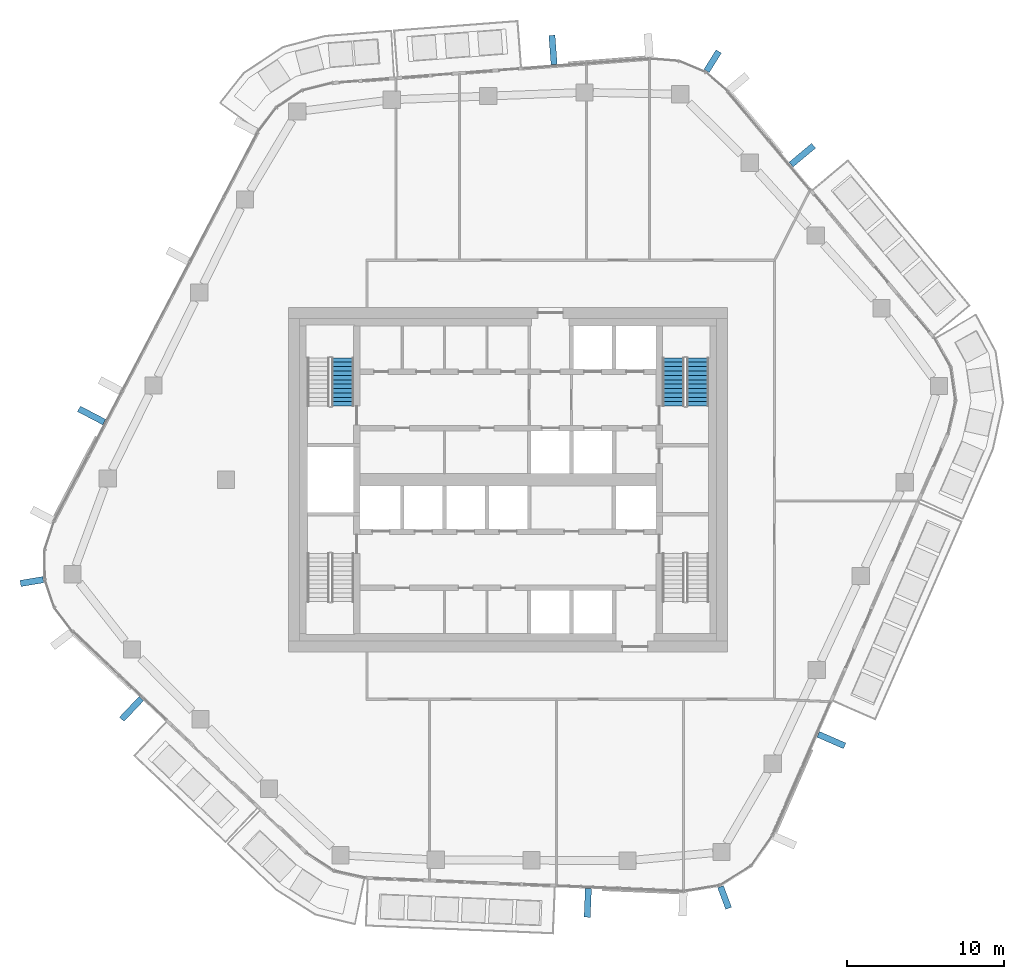
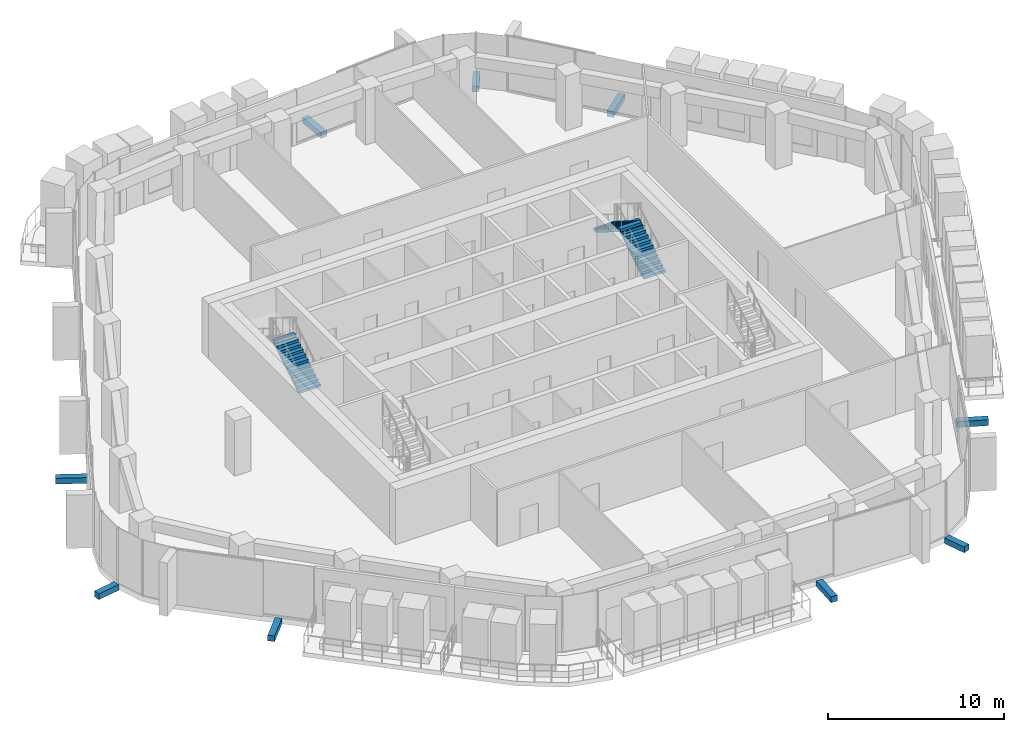
# One storey, part 14 of 20: 9 discrete accessories, 3 stair flights, 2 elements without a shape of their own.
"""IFC4 building model written with IfcOpenShell, lengths in metres."""

from ifc_helpers import new_model, si_unit, direction, frame, origin, origin_2d, place, context, subcontext, project, spatial, polyline, rectangle, outline, extrude, material, layer, layer_set, type_object, element, aggregate, save


model = new_model("IFC4")

# Units and contexts
model_context = context("Model", 3, precision=1e-05, world=origin(), true_north=direction((0.0, 1.0)))
body_context = subcontext(model_context, "Body", "Model", "MODEL_VIEW")
ifc_project = project(units=[si_unit("LENGTHUNIT", "METRE"), si_unit("AREAUNIT", "SQUARE_METRE"), si_unit("VOLUMEUNIT", "CUBIC_METRE"), si_unit("PLANEANGLEUNIT", "RADIAN"), si_unit("MASSUNIT", "GRAM", prefix="KILO")], contexts=[model_context])

# Site, building, storey
site_placement = place(None, origin())
site = spatial("IfcSite", under=ifc_project, at=site_placement, CompositionType="ELEMENT")
building_placement = place(site_placement, origin())
building = spatial("IfcBuilding", under=site, at=building_placement, Name="Dongbaek Canopy Tower", CompositionType="ELEMENT")
storey_placement = place(building_placement, frame((0.0, 0.0, 245.39990234375)))
storey = spatial("IfcBuildingStorey", under=building, at=storey_placement, Name="L51", CompositionType="ELEMENT", Elevation=245.39990234375)

# Stair, stair flights
ifc_material_1 = material(Name="Concrete C40/50", Category="concrete")
stair_type = type_object("IfcStairType", Name="Core exit stair", PredefinedType="HALF_TURN_STAIR", material=ifc_material_1)
stair_1_placement = place(storey_placement, origin())
stair_1 = element("IfcStair", 1, at=stair_1_placement, inside=storey, type_object=stair_type, Name="L51 exit stair A", PredefinedType="HALF_TURN_STAIR")
ifc_material_2 = material(Name="Concrete C40/50", Category="concrete")
ifc_layer = layer(ifc_material_2, 0.14990234375)
ifc_layer_set = layer_set([ifc_layer], Name="Core stair flight 150 waist")
stair_flight_type = type_object("IfcStairFlightType", Name="Core stair flight 150 waist", PredefinedType="STRAIGHT", material=ifc_layer_set)
stair_flight_1_placement = place(storey_placement, frame((12.10009765625, 4.699951171875, 0.0), z_axis=(0.0, 0.0, 1.0), x_axis=(0.0, 1.0, 0.0)))
stair_flight_1 = element("IfcStairFlight", 2, at=stair_flight_1_placement, type_object=stair_flight_type, Name="ST-A flight 1", NumberOfRisers=12, NumberOfTreads=11, PredefinedType="STRAIGHT", RiserHeight=0.175, TreadLength=0.28, context=body_context, shape_type="SweptSolid", body=[
    extrude(outline(polyline([(0.0, 0.0), (0.0, 0.175048828125), (0.280029296875, 0.175048828125), (0.280029296875, 0.35009765625), (0.56005859375, 0.35009765625), (0.56005859375, 0.52490234375), (0.840087890625, 0.52490234375), (0.840087890625, 0.699951171875), (1.1201171875, 0.699951171875), (1.1201171875, 0.875), (1.39990234375, 0.875), (1.39990234375, 1.050048828125), (1.679931640625, 1.050048828125), (1.679931640625, 1.22509765625), (1.9599609375, 1.22509765625), (1.9599609375, 1.39990234375), (2.239990234375, 1.39990234375), (2.239990234375, 1.574951171875), (2.52001953125, 1.574951171875), (2.52001953125, 1.75), (2.800048828125, 1.75), (2.800048828125, 1.925048828125), (3.080078125, 1.925048828125), (3.080078125, 2.10009765625), (3.080078125, 1.748291015625), (0.28271484375, 0.0), (0.0, 0.0)])), frame((0.0, 0.699951171875, 0.0), z_axis=(0.0, -1.0, 0.0), x_axis=(1.0, 0.0, 0.0)), (0.0, 0.0, 1.0), 1.39990234375),
])
stair_flight_2_placement = place(storey_placement, frame((10.550048828125, 7.780029296875, 2.10009765625), z_axis=(0.0, 0.0, 1.0), x_axis=(0.0, -1.0, 0.0)))
stair_flight_2 = element("IfcStairFlight", 3, at=stair_flight_2_placement, type_object=stair_flight_type, Name="ST-A flight 2", NumberOfRisers=12, NumberOfTreads=11, PredefinedType="STRAIGHT", RiserHeight=0.175, TreadLength=0.28, context=body_context, shape_type="SweptSolid", body=[
    extrude(outline(polyline([(0.0, 0.0), (0.0, 0.175048828125), (0.280029296875, 0.175048828125), (0.280029296875, 0.35009765625), (0.56005859375, 0.35009765625), (0.56005859375, 0.52490234375), (0.840087890625, 0.52490234375), (0.840087890625, 0.699951171875), (1.1201171875, 0.699951171875), (1.1201171875, 0.875), (1.39990234375, 0.875), (1.39990234375, 1.050048828125), (1.679931640625, 1.050048828125), (1.679931640625, 1.22509765625), (1.9599609375, 1.22509765625), (1.9599609375, 1.39990234375), (2.239990234375, 1.39990234375), (2.239990234375, 1.574951171875), (2.52001953125, 1.574951171875), (2.52001953125, 1.75), (2.800048828125, 1.75), (2.800048828125, 1.925048828125), (3.080078125, 1.925048828125), (3.080078125, 2.10009765625), (3.080078125, 1.748291015625), (0.28271484375, 0.0), (0.0, 0.0)])), frame((0.0, 0.699951171875, 0.0), z_axis=(0.0, -1.0, 0.0), x_axis=(1.0, 0.0, 0.0)), (0.0, 0.0, 1.0), 1.39990234375),
])
aggregate(stair_1, [stair_flight_1, stair_flight_2])

# Stair, stair flight
stair_2_placement = place(storey_placement, origin())
stair_2 = element("IfcStair", 4, at=stair_2_placement, inside=storey, type_object=stair_type, Name="L51 exit stair C", PredefinedType="HALF_TURN_STAIR")
stair_flight_3_placement = place(storey_placement, frame((-10.550048828125, 4.699951171875, 0.0), z_axis=(0.0, 0.0, 1.0), x_axis=(0.0, 1.0, 0.0)))
stair_flight_3 = element("IfcStairFlight", 5, at=stair_flight_3_placement, type_object=stair_flight_type, Name="ST-C flight 1", NumberOfRisers=12, NumberOfTreads=11, PredefinedType="STRAIGHT", RiserHeight=0.175, TreadLength=0.28, context=body_context, shape_type="SweptSolid", body=[
    extrude(outline(polyline([(0.0, 0.0), (0.0, 0.175048828125), (0.280029296875, 0.175048828125), (0.280029296875, 0.35009765625), (0.56005859375, 0.35009765625), (0.56005859375, 0.52490234375), (0.840087890625, 0.52490234375), (0.840087890625, 0.699951171875), (1.1201171875, 0.699951171875), (1.1201171875, 0.875), (1.39990234375, 0.875), (1.39990234375, 1.050048828125), (1.679931640625, 1.050048828125), (1.679931640625, 1.22509765625), (1.9599609375, 1.22509765625), (1.9599609375, 1.39990234375), (2.239990234375, 1.39990234375), (2.239990234375, 1.574951171875), (2.52001953125, 1.574951171875), (2.52001953125, 1.75), (2.800048828125, 1.75), (2.800048828125, 1.925048828125), (3.080078125, 1.925048828125), (3.080078125, 2.10009765625), (3.080078125, 1.748291015625), (0.28271484375, 0.0), (0.0, 0.0)])), frame((0.0, 0.699951171875, 0.0), z_axis=(0.0, -1.0, 0.0), x_axis=(1.0, 0.0, 0.0)), (0.0, 0.0, 1.0), 1.39990234375),
])
aggregate(stair_2, [stair_flight_3])

# Discrete accessories
ifc_material_3 = material(Name="Galvanised steel S355 bracket", Category="steel")
discrete_accessory_type = type_object("IfcDiscreteAccessoryType", Name="Crease fin bracket BR3 400", PredefinedType="BRACKET", material=ifc_material_3)
discrete_accessory_1_placement = place(storey_placement, frame((18.773193359375, 20.710205078125, -0.389892578125), z_axis=(0.0, 0.0, 1.0), x_axis=(0.766375294993, 0.642393109571, 0.0)))
element("IfcDiscreteAccessory", 6, at=discrete_accessory_1_placement, inside=storey, type_object=discrete_accessory_type, Name="Crease fin bracket L51 F0", PredefinedType="BRACKET", context=body_context, shape_type="SweptSolid", body=[
    extrude(rectangle(XDim=1.8701171875, YDim=0.39990234375, at=origin_2d()), origin(), (0.0, 0.0, 1.0), 0.39990234375),
])
discrete_accessory_2_placement = place(storey_placement, frame((2.86865234375, 27.425537109375, -0.389892578125), z_axis=(0.0, 0.0, 1.0), x_axis=(-0.076518905269, 0.997068130639, 0.0)))
element("IfcDiscreteAccessory", 7, at=discrete_accessory_2_placement, inside=storey, type_object=discrete_accessory_type, Name="Crease fin bracket L51 F1", PredefinedType="BRACKET", context=body_context, shape_type="SweptSolid", body=[
    extrude(rectangle(XDim=1.85986328125, YDim=0.39990234375, at=origin_2d()), origin(), (0.0, 0.0, 1.0), 0.39990234375),
])
discrete_accessory_3_placement = place(storey_placement, frame((-26.56982421875, 4.1025390625, -0.389892578125), z_axis=(0.0, 0.0, 1.0), x_axis=(-0.88601914733, 0.463648649911, 0.0)))
element("IfcDiscreteAccessory", 8, at=discrete_accessory_3_placement, inside=storey, type_object=discrete_accessory_type, Name="Crease fin bracket L51 F2", PredefinedType="BRACKET", context=body_context, shape_type="SweptSolid", body=[
    extrude(rectangle(XDim=1.819091796875, YDim=0.39990234375, at=origin_2d()), origin(), (0.0, 0.0, 1.0), 0.39990234375),
])
discrete_accessory_4_placement = place(storey_placement, frame((-24.021484375, -14.620849609375, -0.389892578125), z_axis=(0.0, 0.0, 1.0), x_axis=(-0.687304327357, -0.726369576453, 0.0)))
element("IfcDiscreteAccessory", 9, at=discrete_accessory_4_placement, inside=storey, type_object=discrete_accessory_type, Name="Crease fin bracket L51 F3", PredefinedType="BRACKET", context=body_context, shape_type="SweptSolid", body=[
    extrude(rectangle(XDim=1.813232421875, YDim=0.39990234375, at=origin_2d()), origin(), (0.0, 0.0, 1.0), 0.39990234375),
])
discrete_accessory_5_placement = place(storey_placement, frame((5.086181640625, -26.99560546875, -0.389892578125), z_axis=(0.0, 0.0, 1.0), x_axis=(-0.041481552066, -0.999139269991, 0.0)))
element("IfcDiscreteAccessory", 10, at=discrete_accessory_5_placement, inside=storey, type_object=discrete_accessory_type, Name="Crease fin bracket L51 F4", PredefinedType="BRACKET", context=body_context, shape_type="SweptSolid", body=[
    extrude(rectangle(XDim=1.826171875, YDim=0.39990234375, at=origin_2d()), origin(), (0.0, 0.0, 1.0), 0.39990234375),
])
discrete_accessory_6_placement = place(storey_placement, frame((20.630615234375, -16.607421875, -0.389892578125), z_axis=(0.0, 0.0, 1.0), x_axis=(0.916386485139, -0.400294653793, 0.0)))
element("IfcDiscreteAccessory", 11, at=discrete_accessory_6_placement, inside=storey, type_object=discrete_accessory_type, Name="Crease fin bracket L51 F5", PredefinedType="BRACKET", context=body_context, shape_type="SweptSolid", body=[
    extrude(rectangle(XDim=1.839111328125, YDim=0.39990234375, at=origin_2d()), origin(), (0.0, 0.0, 1.0), 0.39990234375),
])
for number, where, z_axis, x_axis, name in (
    (12, (13.052490234375, 26.7021484375, -0.389892578125), (0.0, 0.0, 1.0), (0.528293116951, 0.849062060501, 0.0), "Corner fin bracket L51 K1"),
    (13, (-30.378173828125, -6.492431640625, -0.389892578125), (0.0, 0.0, 1.0), (-0.986343153931, -0.16470331719, 0.0), "Corner fin bracket L51 K3"),
    (14, (13.81298828125, -26.647216796875, -0.389892578125), (0.0, 0.0, 1.0), (0.351016477142, -0.936369282268, 0.0), "Corner fin bracket L51 K5"),
):
    element("IfcDiscreteAccessory", number, at=place(storey_placement, frame(where, z_axis=z_axis, x_axis=x_axis)), inside=storey, type_object=discrete_accessory_type, Name=name, PredefinedType="BRACKET", context=body_context, shape_type="SweptSolid", body=[
        extrude(rectangle(XDim=1.469970703125, YDim=0.39990234375, at=origin_2d()), origin(), (0.0, 0.0, 1.0), 0.39990234375),
    ])

save(model, "model.ifc")
